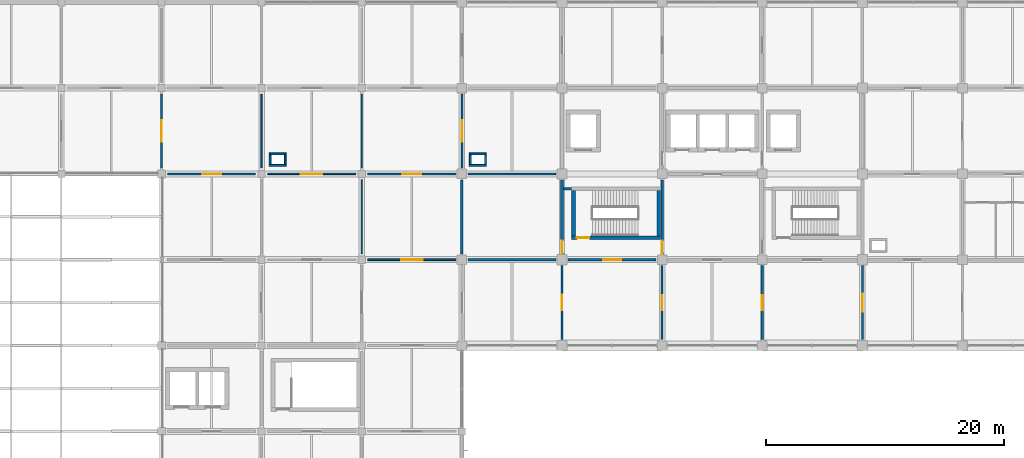
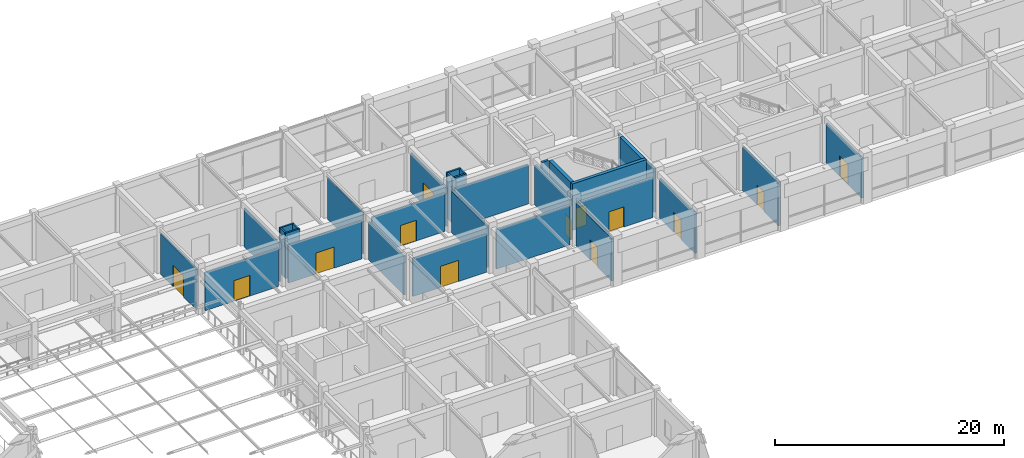
# One storey, part 26 of 38: 31 walls, 14 doors, 14 openings.
"""IFC4 building model written with IfcOpenShell, lengths in metres."""

from ifc_helpers import new_model, si_unit, derived_unit, direction, frame, frame_2d, origin, place, context, subcontext, project, spatial, rectangle, extrude, material, layer, layer_set, type_object, element, fill, save


model = new_model("IFC4")

# Units and contexts
model_context = context("Model", 3, precision=1e-05, world=origin(), true_north=direction((0.0, 1.0)))
body_context = subcontext(model_context, "Body", "Model", "MODEL_VIEW")
ifc_project = project(units=[si_unit("LENGTHUNIT", "METRE"), si_unit("AREAUNIT", "SQUARE_METRE"), si_unit("VOLUMEUNIT", "CUBIC_METRE"), si_unit("PLANEANGLEUNIT", "RADIAN"), si_unit("MASSUNIT", "GRAM", prefix="KILO"), derived_unit("THERMALTRANSMITTANCEUNIT", [(si_unit("MASSUNIT", "GRAM", prefix="KILO"), 1), (si_unit("TIMEUNIT", "SECOND"), -3), (si_unit("THERMODYNAMICTEMPERATUREUNIT", "KELVIN"), -1)])], contexts=[model_context])

# Site, building, storey
site_placement = place(None, origin())
site = spatial("IfcSite", under=ifc_project, at=site_placement, CompositionType="ELEMENT")
building_placement = place(site_placement, origin())
building = spatial("IfcBuilding", under=site, at=building_placement, Name="Veldstrom Oceanarium and Marine Research Institute", CompositionType="ELEMENT")
storey_placement = place(building_placement, frame((0.0, 0.0, 16.800048828125)))
storey = spatial("IfcBuildingStorey", under=building, at=storey_placement, Name="L03", CompositionType="ELEMENT", Elevation=16.800048828125)

# Wall, opening, door
ifc_material_1 = material(Name="Masonry Fire Compartment Wall", Category="masonry")
ifc_layer_1 = layer(ifc_material_1, 0.22998046875)
ifc_layer_set_1 = layer_set([ifc_layer_1], Name="ARC-WAL-PT1")
wall_type_1 = type_object("IfcWallType", Name="ARC-WAL-PT1", PredefinedType="PARTITIONING", material=ifc_layer_set_1)
wall_1_placement = place(storey_placement, frame((75.60009765625, 50.89990234375, 0.0), z_axis=(0.0, 0.0, 1.0), x_axis=(0.0, 1.0, 0.0)))
wall_1 = element("IfcWall", 1, at=wall_1_placement, inside=storey, type_object=wall_type_1, Name="Interior Partition PT1 L03-1326", PredefinedType="PARTITIONING", context=body_context, shape_type="SweptSolid", body=[
    extrude(rectangle(XDim=6.2001953125, YDim=0.22998046875, at=frame_2d((3.10009765625, 0.0))), origin(), (0.0, 0.0, 1.0), 4.244873046875),
])
opening_1_placement = place(wall_1_placement, frame((0.050048828125, 0.0, 0.0)))
opening_1 = element("IfcOpeningElement", 2, at=opening_1_placement, cuts=wall_1, Name="Opening D-L03-782", PredefinedType="OPENING", context=body_context, shape_type="SweptSolid", body=[
    extrude(rectangle(XDim=1.050048828125, YDim=2.14990234375, at=frame_2d((0.52490234375, 1.074951171875))), frame((0.0, 0.125, 0.0), z_axis=(0.0, -1.0, 0.0), x_axis=(1.0, 0.0, 0.0)), (0.0, 0.0, 1.0), 0.25),
])
ifc_material_2 = material(Name="Painted Steel Fire Door", Category="steel")
door_type_1 = type_object("IfcDoorType", Name="ARC-DOR-SD1", OperationType="SINGLE_SWING_LEFT", PredefinedType="DOOR", material=ifc_material_2)
door_1_placement = place(opening_1_placement, origin())
door_1 = element("IfcDoor", 3, at=door_1_placement, inside=storey, type_object=door_type_1, Name="Interior Door D-L03-782", OperationType="SINGLE_SWING_LEFT", OverallHeight=2.14990234375, OverallWidth=1.050048828125, PredefinedType="DOOR", context=body_context, shape_type="SweptSolid", body=[
    extrude(rectangle(XDim=1.050048828125, YDim=2.14990234375, at=frame_2d((0.52490234375, 1.074951171875))), frame((0.0, 0.02490234375, 0.0), z_axis=(0.0, -1.0, 0.0), x_axis=(1.0, 0.0, 0.0)), (0.0, 0.0, 1.0), 0.050048828125),
])
fill(opening_1, door_1)

wall_2_placement = place(storey_placement, frame((76.10009765625, 50.39990234375, 0.0), z_axis=(0.0, 0.0, 1.0), x_axis=(1.0, 0.0, 0.0)))
wall_2 = element("IfcWall", 4, at=wall_2_placement, inside=storey, type_object=wall_type_1, Name="Interior Partition PT1 L03-1332", PredefinedType="PARTITIONING", context=body_context, shape_type="SweptSolid", body=[
    extrude(rectangle(XDim=7.39990234375, YDim=0.22998046875, at=frame_2d((3.699951171875, 0.0))), origin(), (0.0, 0.0, 1.0), 4.195068359375),
])
opening_2_placement = place(wall_2_placement, frame((2.949951171875, 0.0, 0.0)))
opening_2 = element("IfcOpeningElement", 5, at=opening_2_placement, cuts=wall_2, Name="Opening D-L03-785", PredefinedType="OPENING", context=body_context, shape_type="SweptSolid", body=[
    extrude(rectangle(XDim=1.5, YDim=2.14990234375, at=frame_2d((0.75, 1.074951171875))), frame((0.0, 0.125, 0.0), z_axis=(0.0, -1.0, 0.0), x_axis=(1.0, 0.0, 0.0)), (0.0, 0.0, 1.0), 0.25),
])
ifc_material_3 = material(Name="Painted Steel Lobby Fire Door", Category="steel")
door_type_2 = type_object("IfcDoorType", Name="ARC-DOR-SD2", OperationType="DOUBLE_DOOR_SINGLE_SWING", PredefinedType="DOOR", material=ifc_material_3)
door_2_placement = place(opening_2_placement, frame((1.5, 0.0, 0.0), z_axis=(0.0, 0.0, 1.0), x_axis=(-1.0, 0.0, 0.0)))
door_2 = element("IfcDoor", 6, at=door_2_placement, inside=storey, type_object=door_type_2, Name="Interior Door D-L03-785", OperationType="DOUBLE_DOOR_SINGLE_SWING", OverallHeight=2.14990234375, OverallWidth=1.5, PredefinedType="DOOR", context=body_context, shape_type="SweptSolid", body=[
    extrude(rectangle(XDim=1.5, YDim=2.14990234375, at=frame_2d((0.75, 1.074951171875))), frame((0.0, 0.02490234375, 0.0), z_axis=(0.0, -1.0, 0.0), x_axis=(1.0, 0.0, 0.0)), (0.0, 0.0, 1.0), 0.050048828125),
])
fill(opening_2, door_2)

wall_3_placement = place(storey_placement, frame((84.0, 50.89990234375, 0.0), z_axis=(0.0, 0.0, 1.0), x_axis=(0.0, 1.0, 0.0)))
wall_3 = element("IfcWall", 7, at=wall_3_placement, inside=storey, type_object=wall_type_1, Name="Interior Partition PT1 L03-1333", PredefinedType="PARTITIONING", context=body_context, shape_type="SweptSolid", body=[
    extrude(rectangle(XDim=6.2001953125, YDim=0.22998046875, at=frame_2d((3.10009765625, 0.0))), origin(), (0.0, 0.0, 1.0), 4.655029296875),
])
opening_3_placement = place(wall_3_placement, frame((0.050048828125, 0.0, 0.0)))
opening_3 = element("IfcOpeningElement", 8, at=opening_3_placement, cuts=wall_3, Name="Opening D-L03-786", PredefinedType="OPENING", context=body_context, shape_type="SweptSolid", body=[
    extrude(rectangle(XDim=1.050048828125, YDim=2.14990234375, at=frame_2d((0.52490234375, 1.074951171875))), frame((0.0, 0.125, 0.0), z_axis=(0.0, -1.0, 0.0), x_axis=(1.0, 0.0, 0.0)), (0.0, 0.0, 1.0), 0.25),
])
door_3_placement = place(opening_3_placement, origin())
door_3 = element("IfcDoor", 9, at=door_3_placement, inside=storey, type_object=door_type_1, Name="Interior Door D-L03-786", OperationType="SINGLE_SWING_LEFT", OverallHeight=2.14990234375, OverallWidth=1.050048828125, PredefinedType="DOOR", context=body_context, shape_type="SweptSolid", body=[
    extrude(rectangle(XDim=1.050048828125, YDim=2.14990234375, at=frame_2d((0.52490234375, 1.074951171875))), frame((0.0, 0.02490234375, 0.0), z_axis=(0.0, -1.0, 0.0), x_axis=(1.0, 0.0, 0.0)), (0.0, 0.0, 1.0), 0.050048828125),
])
fill(opening_3, door_3)

# Walls
wall_4_placement = place(storey_placement, frame((75.719970703125, 56.360107421875, 0.0), z_axis=(0.0, 0.0, 1.0), x_axis=(1.0, 0.0, 0.0)))
element("IfcWall", 10, at=wall_4_placement, inside=storey, type_object=wall_type_1, Name="Interior Partition PT1 L03-1334", PredefinedType="PARTITIONING", context=body_context, shape_type="SweptSolid", body=[
    extrude(rectangle(XDim=0.679931640625, YDim=0.22998046875, at=frame_2d((0.33984375, 0.0))), origin(), (0.0, 0.0, 1.0), 4.949951171875),
])
ifc_material_4 = material(Name="Masonry Acoustic Lab Partition", Category="masonry")
ifc_layer_2 = layer(ifc_material_4, 0.205078125)
ifc_layer_set_2 = layer_set([ifc_layer_2], Name="ARC-WAL-PT2")
wall_type_2 = type_object("IfcWallType", Name="ARC-WAL-PT2", PredefinedType="PARTITIONING", material=ifc_layer_set_2)
wall_5_placement = place(storey_placement, frame((67.199951171875, 50.89990234375, 0.0), z_axis=(0.0, 0.0, 1.0), x_axis=(0.0, 1.0, 0.0)))
element("IfcWall", 11, at=wall_5_placement, inside=storey, type_object=wall_type_2, Name="Interior Partition PT2 L03-1319", PredefinedType="PARTITIONING", context=body_context, shape_type="SweptSolid", body=[
    extrude(rectangle(XDim=6.2001953125, YDim=0.205078125, at=frame_2d((3.10009765625, 0.0))), origin(), (0.0, 0.0, 1.0), 4.419921875),
])

# Wall, opening, door
wall_6_placement = place(storey_placement, frame((75.60009765625, 43.699951171875, 0.0), z_axis=(0.0, 0.0, 1.0), x_axis=(0.0, 1.0, 0.0)))
wall_6 = element("IfcWall", 12, at=wall_6_placement, inside=storey, type_object=wall_type_2, Name="Interior Partition PT2 L03-1324", PredefinedType="PARTITIONING", context=body_context, shape_type="SweptSolid", body=[
    extrude(rectangle(XDim=6.199951171875, YDim=0.205078125, at=frame_2d((3.10009765625, 0.0))), origin(), (0.0, 0.0, 1.0), 4.544921875),
])
opening_4_placement = place(wall_6_placement, frame((2.449951171875, 0.0, 0.0)))
opening_4 = element("IfcOpeningElement", 13, at=opening_4_placement, cuts=wall_6, Name="Opening D-L03-781", PredefinedType="OPENING", context=body_context, shape_type="SweptSolid", body=[
    extrude(rectangle(XDim=1.300048828125, YDim=2.14990234375, at=frame_2d((0.64990234375, 1.074951171875))), frame((0.0, 0.112548828125, 0.0), z_axis=(0.0, -1.0, 0.0), x_axis=(1.0, 0.0, 0.0)), (0.0, 0.0, 1.0), 0.22509765625),
])
ifc_material_5 = material(Name="Wet Lab Leaf-and-Half Door", Category="timber")
door_type_3 = type_object("IfcDoorType", Name="ARC-DOR-ID05", OperationType="SINGLE_SWING_LEFT", PredefinedType="DOOR", material=ifc_material_5)
door_4_placement = place(opening_4_placement, origin())
door_4 = element("IfcDoor", 14, at=door_4_placement, inside=storey, type_object=door_type_3, Name="Interior Door D-L03-781", OperationType="SINGLE_SWING_RIGHT", OverallHeight=2.14990234375, OverallWidth=1.300048828125, PredefinedType="DOOR", context=body_context, shape_type="SweptSolid", body=[
    extrude(rectangle(XDim=1.300048828125, YDim=2.14990234375, at=frame_2d((0.64990234375, 1.074951171875))), frame((0.0, 0.02490234375, 0.0), z_axis=(0.0, -1.0, 0.0), x_axis=(1.0, 0.0, 0.0)), (0.0, 0.0, 1.0), 0.050048828125),
])
fill(opening_4, door_4)

# Wall
wall_7_placement = place(storey_placement, frame((67.699951171875, 50.39990234375, 0.0), z_axis=(0.0, 0.0, 1.0), x_axis=(1.0, 0.0, 0.0)))
element("IfcWall", 15, at=wall_7_placement, inside=storey, type_object=wall_type_2, Name="Interior Partition PT2 L03-1325", PredefinedType="PARTITIONING", context=body_context, shape_type="SweptSolid", body=[
    extrude(rectangle(XDim=7.400146484375, YDim=0.205078125, at=frame_2d((3.7001953125, 0.0))), origin(), (0.0, 0.0, 1.0), 4.195068359375),
])

# Wall, opening, door
wall_8_placement = place(storey_placement, frame((92.39990234375, 43.699951171875, 0.0), z_axis=(0.0, 0.0, 1.0), x_axis=(0.0, 1.0, 0.0)))
wall_8 = element("IfcWall", 16, at=wall_8_placement, inside=storey, type_object=wall_type_2, Name="Interior Partition PT2 L03-1338", PredefinedType="PARTITIONING", context=body_context, shape_type="SweptSolid", body=[
    extrude(rectangle(XDim=6.199951171875, YDim=0.205078125, at=frame_2d((3.10009765625, 0.0))), origin(), (0.0, 0.0, 1.0), 4.655029296875),
])
opening_5_placement = place(wall_8_placement, frame((2.47509765625, 0.0, 0.0)))
opening_5 = element("IfcOpeningElement", 17, at=opening_5_placement, cuts=wall_8, Name="Opening D-L03-789", PredefinedType="OPENING", context=body_context, shape_type="SweptSolid", body=[
    extrude(rectangle(XDim=1.25, YDim=2.10009765625, at=frame_2d((0.625, 1.050048828125))), frame((0.0, 0.112548828125, 0.0), z_axis=(0.0, -1.0, 0.0), x_axis=(1.0, 0.0, 0.0)), (0.0, 0.0, 1.0), 0.22509765625),
])
ifc_material_6 = material(Name="Specimen Prep Door", Category="timber")
door_type_4 = type_object("IfcDoorType", Name="ARC-DOR-ID16", OperationType="SINGLE_SWING_RIGHT", PredefinedType="DOOR", material=ifc_material_6)
door_5_placement = place(opening_5_placement, origin())
door_5 = element("IfcDoor", 18, at=door_5_placement, inside=storey, type_object=door_type_4, Name="Interior Door D-L03-789", OperationType="SINGLE_SWING_RIGHT", OverallHeight=2.10009765625, OverallWidth=1.25, PredefinedType="DOOR", context=body_context, shape_type="SweptSolid", body=[
    extrude(rectangle(XDim=1.25, YDim=2.10009765625, at=frame_2d((0.625, 1.050048828125))), frame((0.0, 0.02490234375, 0.0), z_axis=(0.0, -1.0, 0.0), x_axis=(1.0, 0.0, 0.0)), (0.0, 0.0, 1.0), 0.050048828125),
])
fill(opening_5, door_5)

ifc_material_7 = material(Name="Drywall Acoustic Partition", Category="gypsum")
ifc_layer_3 = layer(ifc_material_7, 0.175048828125)
ifc_layer_set_3 = layer_set([ifc_layer_3], Name="ARC-WAL-PT3")
wall_type_3 = type_object("IfcWallType", Name="ARC-WAL-PT3", PredefinedType="PARTITIONING", material=ifc_layer_set_3)
wall_9_placement = place(storey_placement, frame((67.199951171875, 58.10009765625, 0.0), z_axis=(0.0, 0.0, 1.0), x_axis=(0.0, 1.0, 0.0)))
wall_9 = element("IfcWall", 19, at=wall_9_placement, inside=storey, type_object=wall_type_3, Name="Interior Partition PT3 L03-1321", PredefinedType="PARTITIONING", context=body_context, shape_type="SweptSolid", body=[
    extrude(rectangle(XDim=6.199951171875, YDim=0.175048828125, at=frame_2d((3.10009765625, 0.0))), origin(), (0.0, 0.0, 1.0), 4.119873046875),
])
opening_6_placement = place(wall_9_placement, frame((2.199951171875, 0.0, 0.0)))
opening_6 = element("IfcOpeningElement", 20, at=opening_6_placement, cuts=wall_9, Name="Opening D-L03-778", PredefinedType="OPENING", context=body_context, shape_type="SweptSolid", body=[
    extrude(rectangle(XDim=1.800048828125, YDim=2.25, at=frame_2d((0.89990234375, 1.125))), frame((0.0, 0.097412109375, 0.0), z_axis=(0.0, -1.0, 0.0), x_axis=(1.0, 0.0, 0.0)), (0.0, 0.0, 1.0), 0.195068359375),
])
ifc_material_8 = material(Name="Acoustic Timber Gallery Door", Category="wood")
door_type_5 = type_object("IfcDoorType", Name="ARC-DOR-ID01", OperationType="DOUBLE_DOOR_SINGLE_SWING", PredefinedType="DOOR", material=ifc_material_8)
door_6_placement = place(opening_6_placement, frame((1.800048828125, 0.0, 0.0), z_axis=(0.0, 0.0, 1.0), x_axis=(-1.0, 0.0, 0.0)))
door_6 = element("IfcDoor", 21, at=door_6_placement, inside=storey, type_object=door_type_5, Name="Interior Door D-L03-778", OperationType="DOUBLE_DOOR_SINGLE_SWING", OverallHeight=2.25, OverallWidth=1.800048828125, PredefinedType="DOOR", context=body_context, shape_type="SweptSolid", body=[
    extrude(rectangle(XDim=1.800048828125, YDim=2.25, at=frame_2d((0.89990234375, 1.125))), frame((0.0, 0.02490234375, 0.0), z_axis=(0.0, -1.0, 0.0), x_axis=(1.0, 0.0, 0.0)), (0.0, 0.0, 1.0), 0.050048828125),
])
fill(opening_6, door_6)

# Wall
wall_10_placement = place(storey_placement, frame((67.699951171875, 57.60009765625, 0.0), z_axis=(0.0, 0.0, 1.0), x_axis=(1.0, 0.0, 0.0)))
element("IfcWall", 22, at=wall_10_placement, inside=storey, type_object=wall_type_3, Name="Interior Partition PT3 L03-1327", PredefinedType="PARTITIONING", context=body_context, shape_type="SweptSolid", body=[
    extrude(rectangle(XDim=7.400146484375, YDim=0.175048828125, at=frame_2d((3.7001953125, 0.0))), origin(), (0.0, 0.0, 1.0), 4.195068359375),
])

# Wall, opening, door
wall_11_placement = place(storey_placement, frame((84.0, 43.699951171875, 0.0), z_axis=(0.0, 0.0, 1.0), x_axis=(0.0, 1.0, 0.0)))
wall_11 = element("IfcWall", 23, at=wall_11_placement, inside=storey, type_object=wall_type_3, Name="Interior Partition PT3 L03-1331", PredefinedType="PARTITIONING", context=body_context, shape_type="SweptSolid", body=[
    extrude(rectangle(XDim=6.199951171875, YDim=0.175048828125, at=frame_2d((3.10009765625, 0.0))), origin(), (0.0, 0.0, 1.0), 4.244873046875),
])
opening_7_placement = place(wall_11_placement, frame((2.47509765625, 0.0, 0.0)))
opening_7 = element("IfcOpeningElement", 24, at=opening_7_placement, cuts=wall_11, Name="Opening D-L03-784", PredefinedType="OPENING", context=body_context, shape_type="SweptSolid", body=[
    extrude(rectangle(XDim=1.25, YDim=2.10009765625, at=frame_2d((0.625, 1.050048828125))), frame((0.0, 0.097412109375, 0.0), z_axis=(0.0, -1.0, 0.0), x_axis=(1.0, 0.0, 0.0)), (0.0, 0.0, 1.0), 0.195068359375),
])
door_7_placement = place(opening_7_placement, frame((1.25, 0.0, 0.0), z_axis=(0.0, 0.0, 1.0), x_axis=(-1.0, 0.0, 0.0)))
door_7 = element("IfcDoor", 25, at=door_7_placement, inside=storey, type_object=door_type_4, Name="Interior Door D-L03-784", OperationType="SINGLE_SWING_RIGHT", OverallHeight=2.10009765625, OverallWidth=1.25, PredefinedType="DOOR", context=body_context, shape_type="SweptSolid", body=[
    extrude(rectangle(XDim=1.25, YDim=2.10009765625, at=frame_2d((0.625, 1.050048828125))), frame((0.0, 0.02490234375, 0.0), z_axis=(0.0, -1.0, 0.0), x_axis=(1.0, 0.0, 0.0)), (0.0, 0.0, 1.0), 0.050048828125),
])
fill(opening_7, door_7)

wall_12_placement = place(storey_placement, frame((100.800048828125, 43.699951171875, 0.0), z_axis=(0.0, 0.0, 1.0), x_axis=(0.0, 1.0, 0.0)))
wall_12 = element("IfcWall", 26, at=wall_12_placement, inside=storey, type_object=wall_type_3, Name="Interior Partition PT3 L03-1345", PredefinedType="PARTITIONING", context=body_context, shape_type="SweptSolid", body=[
    extrude(rectangle(XDim=6.199951171875, YDim=0.175048828125, at=frame_2d((3.10009765625, 0.0))), origin(), (0.0, 0.0, 1.0), 4.244873046875),
])
opening_8_placement = place(wall_12_placement, frame((2.35009765625, 0.0, 0.0)))
opening_8 = element("IfcOpeningElement", 27, at=opening_8_placement, cuts=wall_12, Name="Opening D-L03-795", PredefinedType="OPENING", context=body_context, shape_type="SweptSolid", body=[
    extrude(rectangle(XDim=1.5, YDim=2.199951171875, at=frame_2d((0.75, 1.10009765625))), frame((0.0, 0.097412109375, 0.0), z_axis=(0.0, -1.0, 0.0), x_axis=(1.0, 0.0, 0.0)), (0.0, 0.0, 1.0), 0.195068359375),
])
ifc_material_9 = material(Name="Laboratory Double Leaf Door", Category="timber")
door_type_6 = type_object("IfcDoorType", Name="ARC-DOR-ID03", OperationType="DOUBLE_DOOR_SINGLE_SWING", PredefinedType="DOOR", material=ifc_material_9)
door_8_placement = place(opening_8_placement, frame((1.5, 0.0, 0.0), z_axis=(0.0, 0.0, 1.0), x_axis=(-1.0, 0.0, 0.0)))
door_8 = element("IfcDoor", 28, at=door_8_placement, inside=storey, type_object=door_type_6, Name="Interior Door D-L03-795", OperationType="DOUBLE_DOOR_SINGLE_SWING", OverallHeight=2.199951171875, OverallWidth=1.5, PredefinedType="DOOR", context=body_context, shape_type="SweptSolid", body=[
    extrude(rectangle(XDim=1.5, YDim=2.199951171875, at=frame_2d((0.75, 1.10009765625))), frame((0.0, 0.02490234375, 0.0), z_axis=(0.0, -1.0, 0.0), x_axis=(1.0, 0.0, 0.0)), (0.0, 0.0, 1.0), 0.050048828125),
])
fill(opening_8, door_8)

ifc_material_10 = material(Name="Drywall Corridor Partition", Category="gypsum")
ifc_layer_4 = layer(ifc_material_10, 0.155029296875)
ifc_layer_set_4 = layer_set([ifc_layer_4], Name="ARC-WAL-PT4")
wall_type_4 = type_object("IfcWallType", Name="ARC-WAL-PT4", PredefinedType="PARTITIONING", material=ifc_layer_set_4)
wall_13_placement = place(storey_placement, frame((42.0, 58.10009765625, 0.0), z_axis=(0.0, 0.0, 1.0), x_axis=(0.0, 1.0, 0.0)))
wall_13 = element("IfcWall", 29, at=wall_13_placement, inside=storey, type_object=wall_type_4, Name="Interior Partition PT4 L03-1275", PredefinedType="PARTITIONING", context=body_context, shape_type="SweptSolid", body=[
    extrude(rectangle(XDim=6.199951171875, YDim=0.155029296875, at=frame_2d((3.10009765625, 0.0))), origin(), (0.0, 0.0, 1.0), 4.320068359375),
])
opening_9_placement = place(wall_13_placement, frame((2.199951171875, 0.0, 0.0)))
opening_9 = element("IfcOpeningElement", 30, at=opening_9_placement, cuts=wall_13, Name="Opening D-L03-750", PredefinedType="OPENING", context=body_context, shape_type="SweptSolid", body=[
    extrude(rectangle(XDim=1.800048828125, YDim=2.25, at=frame_2d((0.89990234375, 1.125))), frame((0.0, 0.08740234375, 0.0), z_axis=(0.0, -1.0, 0.0), x_axis=(1.0, 0.0, 0.0)), (0.0, 0.0, 1.0), 0.175048828125),
])
door_9_placement = place(opening_9_placement, origin())
door_9 = element("IfcDoor", 31, at=door_9_placement, inside=storey, type_object=door_type_5, Name="Interior Door D-L03-750", OperationType="DOUBLE_DOOR_SINGLE_SWING", OverallHeight=2.25, OverallWidth=1.800048828125, PredefinedType="DOOR", context=body_context, shape_type="SweptSolid", body=[
    extrude(rectangle(XDim=1.800048828125, YDim=2.25, at=frame_2d((0.89990234375, 1.125))), frame((0.0, 0.02490234375, 0.0), z_axis=(0.0, -1.0, 0.0), x_axis=(1.0, 0.0, 0.0)), (0.0, 0.0, 1.0), 0.050048828125),
])
fill(opening_9, door_9)

wall_14_placement = place(storey_placement, frame((42.5, 57.60009765625, 0.0), z_axis=(0.0, 0.0, 1.0), x_axis=(1.0, 0.0, 0.0)))
wall_14 = element("IfcWall", 32, at=wall_14_placement, inside=storey, type_object=wall_type_4, Name="Interior Partition PT4 L03-1291", PredefinedType="PARTITIONING", context=body_context, shape_type="SweptSolid", body=[
    extrude(rectangle(XDim=7.39990234375, YDim=0.155029296875, at=frame_2d((3.699951171875, 0.0))), origin(), (0.0, 0.0, 1.0), 4.070068359375),
])
opening_10_placement = place(wall_14_placement, frame((2.89990234375, 0.0, 0.0)))
opening_10 = element("IfcOpeningElement", 33, at=opening_10_placement, cuts=wall_14, Name="Opening D-L03-759", PredefinedType="OPENING", context=body_context, shape_type="SweptSolid", body=[
    extrude(rectangle(XDim=1.60009765625, YDim=2.199951171875, at=frame_2d((0.800048828125, 1.10009765625))), frame((0.0, 0.08740234375, 0.0), z_axis=(0.0, -1.0, 0.0), x_axis=(1.0, 0.0, 0.0)), (0.0, 0.0, 1.0), 0.175048828125),
])
ifc_material_11 = material(Name="Acoustic Timber Corridor Door", Category="wood")
door_type_7 = type_object("IfcDoorType", Name="ARC-DOR-ID02", OperationType="DOUBLE_DOOR_SINGLE_SWING", PredefinedType="DOOR", material=ifc_material_11)
door_10_placement = place(opening_10_placement, frame((1.60009765625, 0.0, 0.0), z_axis=(0.0, 0.0, 1.0), x_axis=(-1.0, 0.0, 0.0)))
door_10 = element("IfcDoor", 34, at=door_10_placement, inside=storey, type_object=door_type_7, Name="Interior Door D-L03-759", OperationType="DOUBLE_DOOR_SINGLE_SWING", OverallHeight=2.199951171875, OverallWidth=1.60009765625, PredefinedType="DOOR", context=body_context, shape_type="SweptSolid", body=[
    extrude(rectangle(XDim=1.60009765625, YDim=2.199951171875, at=frame_2d((0.800048828125, 1.10009765625))), frame((0.0, 0.02490234375, 0.0), z_axis=(0.0, -1.0, 0.0), x_axis=(1.0, 0.0, 0.0)), (0.0, 0.0, 1.0), 0.050048828125),
])
fill(opening_10, door_10)

wall_15_placement = place(storey_placement, frame((59.300048828125, 57.60009765625, 0.0), z_axis=(0.0, 0.0, 1.0), x_axis=(1.0, 0.0, 0.0)))
wall_15 = element("IfcWall", 35, at=wall_15_placement, inside=storey, type_object=wall_type_4, Name="Interior Partition PT4 L03-1320", PredefinedType="PARTITIONING", context=body_context, shape_type="SweptSolid", body=[
    extrude(rectangle(XDim=7.39990234375, YDim=0.155029296875, at=frame_2d((3.699951171875, 0.0))), origin(), (0.0, 0.0, 1.0), 4.070068359375),
])
opening_11_placement = place(wall_15_placement, frame((2.89990234375, 0.0, 0.0)))
opening_11 = element("IfcOpeningElement", 36, at=opening_11_placement, cuts=wall_15, Name="Opening D-L03-777", PredefinedType="OPENING", context=body_context, shape_type="SweptSolid", body=[
    extrude(rectangle(XDim=1.60009765625, YDim=2.199951171875, at=frame_2d((0.800048828125, 1.10009765625))), frame((0.0, 0.08740234375, 0.0), z_axis=(0.0, -1.0, 0.0), x_axis=(1.0, 0.0, 0.0)), (0.0, 0.0, 1.0), 0.175048828125),
])
door_11_placement = place(opening_11_placement, frame((1.60009765625, 0.0, 0.0), z_axis=(0.0, 0.0, 1.0), x_axis=(-1.0, 0.0, 0.0)))
door_11 = element("IfcDoor", 37, at=door_11_placement, inside=storey, type_object=door_type_7, Name="Interior Door D-L03-777", OperationType="DOUBLE_DOOR_SINGLE_SWING", OverallHeight=2.199951171875, OverallWidth=1.60009765625, PredefinedType="DOOR", context=body_context, shape_type="SweptSolid", body=[
    extrude(rectangle(XDim=1.60009765625, YDim=2.199951171875, at=frame_2d((0.800048828125, 1.10009765625))), frame((0.0, 0.02490234375, 0.0), z_axis=(0.0, -1.0, 0.0), x_axis=(1.0, 0.0, 0.0)), (0.0, 0.0, 1.0), 0.050048828125),
])
fill(opening_11, door_11)

ifc_material_12 = material(Name="Moisture-Resistant Wet-Area Partition", Category="masonry")
ifc_layer_5 = layer(ifc_material_12, 0.139892578125)
ifc_layer_set_5 = layer_set([ifc_layer_5], Name="ARC-WAL-PT5")
wall_type_5 = type_object("IfcWallType", Name="ARC-WAL-PT5", PredefinedType="PARTITIONING", material=ifc_layer_set_5)
wall_16_placement = place(storey_placement, frame((50.89990234375, 57.60009765625, 0.0), z_axis=(0.0, 0.0, 1.0), x_axis=(1.0, 0.0, 0.0)))
wall_16 = element("IfcWall", 38, at=wall_16_placement, inside=storey, type_object=wall_type_5, Name="Interior Partition PT5 L03-1308", PredefinedType="PARTITIONING", context=body_context, shape_type="SweptSolid", body=[
    extrude(rectangle(XDim=7.400146484375, YDim=0.139892578125, at=frame_2d((3.7001953125, 0.0))), origin(), (0.0, 0.0, 1.0), 4.070068359375),
])
opening_12_placement = place(wall_16_placement, frame((2.800048828125, 0.0, 0.0)))
opening_12 = element("IfcOpeningElement", 39, at=opening_12_placement, cuts=wall_16, Name="Opening D-L03-768", PredefinedType="OPENING", context=body_context, shape_type="SweptSolid", body=[
    extrude(rectangle(XDim=1.800048828125, YDim=2.25, at=frame_2d((0.89990234375, 1.125))), frame((0.0, 0.079833984375, 0.0), z_axis=(0.0, -1.0, 0.0), x_axis=(1.0, 0.0, 0.0)), (0.0, 0.0, 1.0), 0.159912109375),
])
door_12_placement = place(opening_12_placement, origin())
door_12 = element("IfcDoor", 40, at=door_12_placement, inside=storey, type_object=door_type_5, Name="Interior Door D-L03-768", OperationType="DOUBLE_DOOR_SINGLE_SWING", OverallHeight=2.25, OverallWidth=1.800048828125, PredefinedType="DOOR", context=body_context, shape_type="SweptSolid", body=[
    extrude(rectangle(XDim=1.800048828125, YDim=2.25, at=frame_2d((0.89990234375, 1.125))), frame((0.0, 0.02490234375, 0.0), z_axis=(0.0, -1.0, 0.0), x_axis=(1.0, 0.0, 0.0)), (0.0, 0.0, 1.0), 0.050048828125),
])
fill(opening_12, door_12)

wall_17_placement = place(storey_placement, frame((59.300048828125, 50.39990234375, 0.0), z_axis=(0.0, 0.0, 1.0), x_axis=(1.0, 0.0, 0.0)))
wall_17 = element("IfcWall", 41, at=wall_17_placement, inside=storey, type_object=wall_type_5, Name="Interior Partition PT5 L03-1318", PredefinedType="PARTITIONING", context=body_context, shape_type="SweptSolid", body=[
    extrude(rectangle(XDim=7.39990234375, YDim=0.139892578125, at=frame_2d((3.699951171875, 0.0))), origin(), (0.0, 0.0, 1.0), 4.070068359375),
])
opening_13_placement = place(wall_17_placement, frame((2.800048828125, 0.0, 0.0)))
opening_13 = element("IfcOpeningElement", 42, at=opening_13_placement, cuts=wall_17, Name="Opening D-L03-776", PredefinedType="OPENING", context=body_context, shape_type="SweptSolid", body=[
    extrude(rectangle(XDim=1.800048828125, YDim=2.25, at=frame_2d((0.89990234375, 1.125))), frame((0.0, 0.079833984375, 0.0), z_axis=(0.0, -1.0, 0.0), x_axis=(1.0, 0.0, 0.0)), (0.0, 0.0, 1.0), 0.159912109375),
])
door_13_placement = place(opening_13_placement, origin())
door_13 = element("IfcDoor", 43, at=door_13_placement, inside=storey, type_object=door_type_5, Name="Interior Door D-L03-776", OperationType="DOUBLE_DOOR_SINGLE_SWING", OverallHeight=2.25, OverallWidth=1.800048828125, PredefinedType="DOOR", context=body_context, shape_type="SweptSolid", body=[
    extrude(rectangle(XDim=1.800048828125, YDim=2.25, at=frame_2d((0.89990234375, 1.125))), frame((0.0, 0.02490234375, 0.0), z_axis=(0.0, -1.0, 0.0), x_axis=(1.0, 0.0, 0.0)), (0.0, 0.0, 1.0), 0.050048828125),
])
fill(opening_13, door_13)

# Walls
ifc_material_13 = material(Name="Lightweight Studio Partition", Category="gypsum")
ifc_layer_6 = layer(ifc_material_13, 0.1201171875)
ifc_layer_set_6 = layer_set([ifc_layer_6], Name="ARC-WAL-PT6")
wall_type_6 = type_object("IfcWallType", Name="ARC-WAL-PT6", PredefinedType="PARTITIONING", material=ifc_layer_set_6)
wall_18_placement = place(storey_placement, frame((50.39990234375, 58.10009765625, 0.0), z_axis=(0.0, 0.0, 1.0), x_axis=(0.0, 1.0, 0.0)))
element("IfcWall", 44, at=wall_18_placement, inside=storey, type_object=wall_type_6, Name="Interior Partition PT6 L03-1292", PredefinedType="PARTITIONING", context=body_context, shape_type="SweptSolid", body=[
    extrude(rectangle(XDim=6.199951171875, YDim=0.1201171875, at=frame_2d((3.10009765625, 0.0))), origin(), (0.0, 0.0, 1.0), 4.119873046875),
])
wall_19_placement = place(storey_placement, frame((58.800048828125, 50.89990234375, 0.0), z_axis=(0.0, 0.0, 1.0), x_axis=(0.0, 1.0, 0.0)))
element("IfcWall", 45, at=wall_19_placement, inside=storey, type_object=wall_type_6, Name="Interior Partition PT6 L03-1307", PredefinedType="PARTITIONING", context=body_context, shape_type="SweptSolid", body=[
    extrude(rectangle(XDim=6.2001953125, YDim=0.1201171875, at=frame_2d((3.10009765625, 0.0))), origin(), (0.0, 0.0, 1.0), 4.119873046875),
])
wall_20_placement = place(storey_placement, frame((58.800048828125, 58.10009765625, 0.0), z_axis=(0.0, 0.0, 1.0), x_axis=(0.0, 1.0, 0.0)))
element("IfcWall", 46, at=wall_20_placement, inside=storey, type_object=wall_type_6, Name="Interior Partition PT6 L03-1309", PredefinedType="PARTITIONING", context=body_context, shape_type="SweptSolid", body=[
    extrude(rectangle(XDim=6.199951171875, YDim=0.1201171875, at=frame_2d((3.10009765625, 0.0))), origin(), (0.0, 0.0, 1.0), 4.419921875),
])
ifc_material_14 = material(Name="Service Riser Fire Shaft Wall", Category="masonry")
ifc_layer_7 = layer(ifc_material_14, 0.1650390625)
ifc_layer_set_7 = layer_set([ifc_layer_7], Name="ARC-WAL-PT9")
wall_type_7 = type_object("IfcWallType", Name="ARC-WAL-PT9", PredefinedType="PARTITIONING", material=ifc_layer_set_7)
for number, where, z_axis, x_axis, name in (
    (47, (51.034912109375, 58.3173828125, 0.0), (0.0, 0.0, 1.0), (1.0, 0.0, 0.0), "Service Riser Fire Shaft Wall L03-WN-S"),
    (48, (51.034912109375, 59.282470703125, 0.0), (0.0, 0.0, 1.0), (1.0, 0.0, 0.0), "Service Riser Fire Shaft Wall L03-WN-N"),
):
    element("IfcWall", number, at=place(storey_placement, frame(where, z_axis=z_axis, x_axis=x_axis)), inside=storey, type_object=wall_type_7, Name=name, PredefinedType="PARTITIONING", context=body_context, shape_type="SweptSolid", body=[
        extrude(rectangle(XDim=1.43017578125, YDim=0.1650390625, at=frame_2d((0.715087890625, 0.0))), origin(), (0.0, 0.0, 1.0), 4.824951171875),
    ])
for number, where, z_axis, x_axis, name in (
    (49, (51.117431640625, 58.39990234375, 0.0), (0.0, 0.0, 1.0), (0.0, 1.0, 0.0), "Service Riser Fire Shaft Wall L03-WN-W"),
    (50, (52.382568359375, 58.39990234375, 0.0), (0.0, 0.0, 1.0), (0.0, 1.0, 0.0), "Service Riser Fire Shaft Wall L03-WN-E"),
):
    element("IfcWall", number, at=place(storey_placement, frame(where, z_axis=z_axis, x_axis=x_axis)), inside=storey, type_object=wall_type_7, Name=name, PredefinedType="PARTITIONING", context=body_context, shape_type="SweptSolid", body=[
        extrude(rectangle(XDim=0.800048828125, YDim=0.1650390625, at=frame_2d((0.39990234375, 0.0))), origin(), (0.0, 0.0, 1.0), 4.824951171875),
    ])
for number, where, z_axis, x_axis, name in (
    (51, (67.8349609375, 58.3173828125, 0.0), (0.0, 0.0, 1.0), (1.0, 0.0, 0.0), "Service Riser Fire Shaft Wall L03-CW-S"),
    (52, (67.8349609375, 59.282470703125, 0.0), (0.0, 0.0, 1.0), (1.0, 0.0, 0.0), "Service Riser Fire Shaft Wall L03-CW-N"),
):
    element("IfcWall", number, at=place(storey_placement, frame(where, z_axis=z_axis, x_axis=x_axis)), inside=storey, type_object=wall_type_7, Name=name, PredefinedType="PARTITIONING", context=body_context, shape_type="SweptSolid", body=[
        extrude(rectangle(XDim=1.429931640625, YDim=0.1650390625, at=frame_2d((0.71484375, 0.0))), origin(), (0.0, 0.0, 1.0), 4.824951171875),
    ])
for number, where, z_axis, x_axis, name in (
    (53, (67.91748046875, 58.39990234375, 0.0), (0.0, 0.0, 1.0), (0.0, 1.0, 0.0), "Service Riser Fire Shaft Wall L03-CW-W"),
    (54, (69.1826171875, 58.39990234375, 0.0), (0.0, 0.0, 1.0), (0.0, 1.0, 0.0), "Service Riser Fire Shaft Wall L03-CW-E"),
):
    element("IfcWall", number, at=place(storey_placement, frame(where, z_axis=z_axis, x_axis=x_axis)), inside=storey, type_object=wall_type_7, Name=name, PredefinedType="PARTITIONING", context=body_context, shape_type="SweptSolid", body=[
        extrude(rectangle(XDim=0.800048828125, YDim=0.1650390625, at=frame_2d((0.39990234375, 0.0))), origin(), (0.0, 0.0, 1.0), 4.824951171875),
    ])

# Wall, opening, door
ifc_material_15 = material(Name="Concrete C40/50", Category="concrete")
ifc_layer_8 = layer(ifc_material_15, 0.320068359375)
ifc_layer_set_8 = layer_set([ifc_layer_8], Name="STR-WAL-WC3")
wall_type_8 = type_object("IfcWallType", Name="STR-WAL-WC3", PredefinedType="SHEAR", material=ifc_layer_set_8)
wall_21_placement = place(storey_placement, frame((76.39990234375, 52.239990234375, 0.0), z_axis=(0.0, 0.0, 1.0), x_axis=(1.0, 0.0, 0.0)))
wall_21 = element("IfcWall", 55, at=wall_21_placement, inside=storey, type_object=wall_type_8, Name="Stair Core Shear Wall SC1-L03-S", PredefinedType="SHEAR", context=body_context, shape_type="SweptSolid", body=[
    extrude(rectangle(XDim=7.47998046875, YDim=0.320068359375, at=frame_2d((3.739990234375, 0.0))), origin(), (0.0, 0.0, 1.0), 4.949951171875),
])
opening_14_placement = place(wall_21_placement, frame((0.449951171875, 0.0, 0.0)))
opening_14 = element("IfcOpeningElement", 56, at=opening_14_placement, cuts=wall_21, Name="Opening D-ST1-L03", PredefinedType="OPENING", context=body_context, shape_type="SweptSolid", body=[
    extrude(rectangle(XDim=1.050048828125, YDim=2.14990234375, at=frame_2d((0.52490234375, 1.074951171875))), frame((0.0, 0.169921875, 0.0), z_axis=(0.0, -1.0, 0.0), x_axis=(1.0, 0.0, 0.0)), (0.0, 0.0, 1.0), 0.340087890625),
])
door_14_placement = place(opening_14_placement, origin())
door_14 = element("IfcDoor", 57, at=door_14_placement, inside=storey, type_object=door_type_1, Name="Escape Stair Fire Door D-ST1-L03", OperationType="SINGLE_SWING_LEFT", OverallHeight=2.14990234375, OverallWidth=1.050048828125, PredefinedType="DOOR", context=body_context, shape_type="SweptSolid", body=[
    extrude(rectangle(XDim=1.050048828125, YDim=2.14990234375, at=frame_2d((0.52490234375, 1.074951171875))), frame((0.0, 0.02490234375, 0.0), z_axis=(0.0, -1.0, 0.0), x_axis=(1.0, 0.0, 0.0)), (0.0, 0.0, 1.0), 0.050048828125),
])
fill(opening_14, door_14)

# Walls
for number, where, z_axis, x_axis, name in (
    (58, (76.56005859375, 52.39990234375, 0.0), (0.0, 0.0, 1.0), (0.0, 1.0, 0.0), "Stair Core Shear Wall SC1-L03-W"),
    (59, (83.719970703125, 52.39990234375, 0.0), (0.0, 0.0, 1.0), (0.0, 1.0, 0.0), "Stair Core Shear Wall SC1-L03-E"),
):
    element("IfcWall", number, at=place(storey_placement, frame(where, z_axis=z_axis, x_axis=x_axis)), inside=storey, type_object=wall_type_8, Name=name, PredefinedType="SHEAR", context=body_context, shape_type="SweptSolid", body=[
        extrude(rectangle(XDim=3.800048828125, YDim=0.320068359375, at=frame_2d((1.89990234375, 0.0))), origin(), (0.0, 0.0, 1.0), 4.949951171875),
    ])

save(model, "model.ifc")
